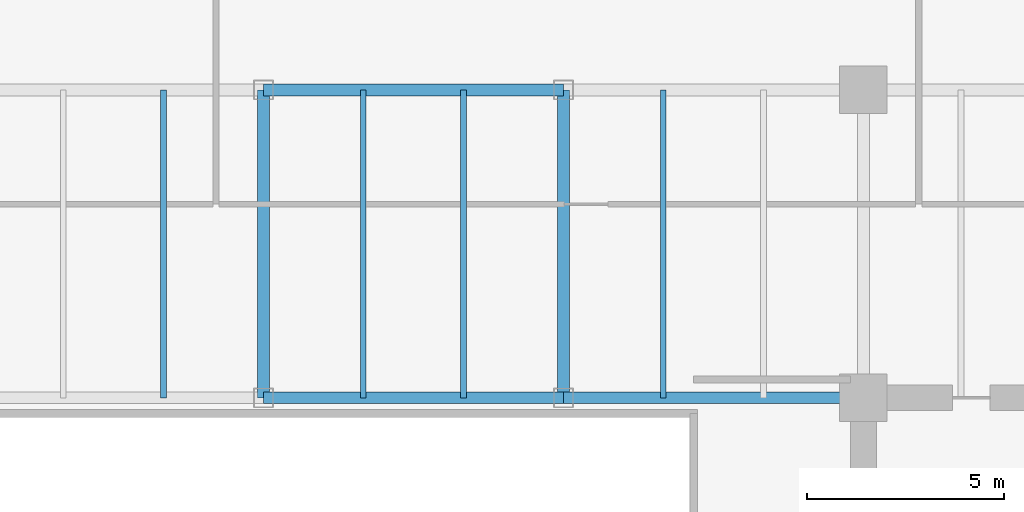
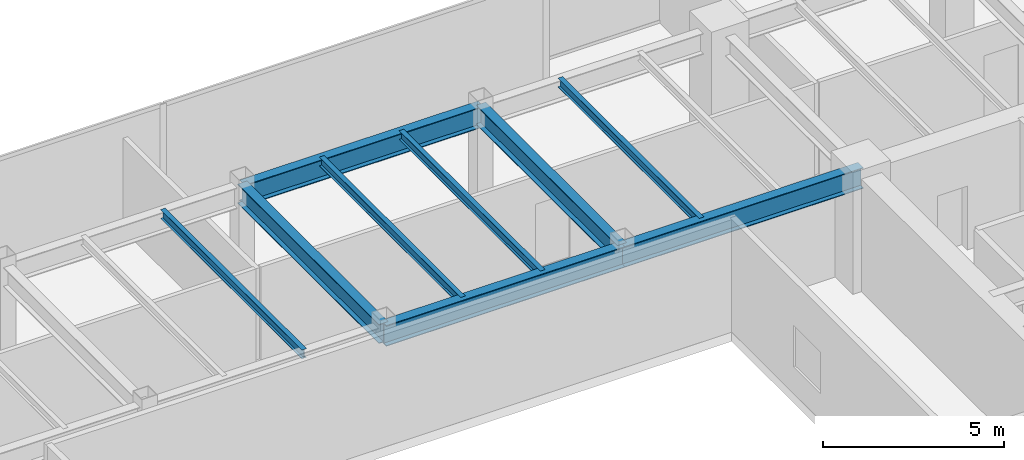
# One storey, part 17 of 30: 9 beams.
"""IFC4 building model written with IfcOpenShell, lengths in metres."""

from ifc_helpers import new_model, si_unit, direction, frame, origin, origin_2d, place, context, subcontext, project, spatial, i_section, extrude, source, transform, mapped, material, material_profile, profile_set, type_object, type_shapes, element, save


model = new_model("IFC4")

# Units and contexts
model_context = context("Model", 3, precision=1e-05, world=origin(), true_north=direction((0.0, 1.0)))
body_context = subcontext(model_context, "Body", "Model", "MODEL_VIEW")
ifc_project = project(units=[si_unit("LENGTHUNIT", "METRE"), si_unit("AREAUNIT", "SQUARE_METRE"), si_unit("VOLUMEUNIT", "CUBIC_METRE"), si_unit("PLANEANGLEUNIT", "RADIAN"), si_unit("MASSUNIT", "GRAM", prefix="KILO")], contexts=[model_context])

# Site, building, storey
site_placement = place(None, origin())
site = spatial("IfcSite", under=ifc_project, at=site_placement, CompositionType="ELEMENT")
building_placement = place(site_placement, origin())
building = spatial("IfcBuilding", under=site, at=building_placement, Name="Haelvirn Gate Laboratories", CompositionType="ELEMENT")
storey_placement = place(building_placement, frame((0.0, 0.0, 142.0)))
storey = spatial("IfcBuildingStorey", under=building, at=storey_placement, Name="L34", CompositionType="ELEMENT", Elevation=142.0)

# Beams
ifc_material = material(Name="Steel SM355", Category="steel")
ifc_material_profile_1 = material_profile(ifc_material, i_section(OverallWidth=0.300048828125, OverallDepth=0.64990234375, WebThickness=0.012939453125, FlangeThickness=0.02197265625, at=origin_2d()), Name="H-650x300x13x22")
ifc_profile_set_1 = profile_set([ifc_material_profile_1], Name="Steel SM355")
beam_type_1 = type_object("IfcBeamType", Name="BM-G-650", PredefinedType="BEAM", material=ifc_profile_set_1)
shared_shape_1 = source(origin(), body_context, "Body", "SweptSolid", [
    extrude(i_section(OverallWidth=0.300048828125, OverallDepth=0.64990234375, WebThickness=0.012939453125, FlangeThickness=0.02197265625, at=origin_2d()), origin(), (0.0, 0.0, 1.0), 7.800048828125),
])
type_shapes(beam_type_1, [shared_shape_1])
for number, where, z_axis, x_axis, name in (
    (1, (37.39990234375, 33.800048828125, 3.465087890625), (0.0, 1.0, 0.0), (-1.0, 0.0, 0.0), "L34 Frame Girder X37.4 (33.8-41.6)"),
    (2, (45.0, 33.800048828125, 3.465087890625), (0.0, 1.0, 0.0), (-1.0, 0.0, 0.0), "L34 Frame Girder X45.0 (33.8-41.6)"),
):
    element("IfcBeam", number, at=place(storey_placement, frame(where, z_axis=z_axis, x_axis=x_axis)), inside=storey, type_object=beam_type_1, Name=name, PredefinedType="BEAM", context=body_context, shape_type="MappedRepresentation", body=[
        mapped(shared_shape_1, transform((0.0, 0.0, 0.0), scale=1.0)),
    ])
ifc_material_profile_2 = material_profile(ifc_material, i_section(OverallWidth=0.300048828125, OverallDepth=0.699951171875, WebThickness=0.012939453125, FlangeThickness=0.02392578125, at=origin_2d()), Name="H-700x300x13x24")
ifc_profile_set_2 = profile_set([ifc_material_profile_2], Name="Steel SM355")
beam_type_2 = type_object("IfcBeamType", Name="BM-G-700", PredefinedType="BEAM", material=ifc_profile_set_2)
shared_shape_2 = source(origin(), body_context, "Body", "SweptSolid", [
    extrude(i_section(OverallWidth=0.300048828125, OverallDepth=0.699951171875, WebThickness=0.012939453125, FlangeThickness=0.02392578125, at=origin_2d()), origin(), (0.0, 0.0, 1.0), 7.60009765625),
])
type_shapes(beam_type_2, [shared_shape_2])
for number, where, z_axis, x_axis, name in (
    (3, (37.39990234375, 33.800048828125, 3.43994140625), (1.0, 0.0, 0.0), (0.0, 1.0, 0.0), "L34 Primary Girder Y33.8 (37.4-45.0)"),
    (4, (45.0, 33.800048828125, 3.43994140625), (1.0, 0.0, 0.0), (0.0, 1.0, 0.0), "L34 Primary Girder Y33.8 (45.0-52.6)"),
    (5, (37.39990234375, 41.60009765625, 3.43994140625), (1.0, 0.0, 0.0), (0.0, 1.0, 0.0), "L34 Primary Girder Y41.6 (37.4-45.0)"),
):
    element("IfcBeam", number, at=place(storey_placement, frame(where, z_axis=z_axis, x_axis=x_axis)), inside=storey, type_object=beam_type_2, Name=name, PredefinedType="BEAM", context=body_context, shape_type="MappedRepresentation", body=[
        mapped(shared_shape_2, transform((0.0, 0.0, 0.0), scale=1.0)),
    ])
ifc_material_profile_3 = material_profile(ifc_material, i_section(OverallWidth=0.14990234375, OverallDepth=0.300048828125, WebThickness=0.006591796875, FlangeThickness=0.009033203125, at=origin_2d()), Name="H-300x150x6.5x9")
ifc_profile_set_3 = profile_set([ifc_material_profile_3], Name="Steel SM355")
beam_type_3 = type_object("IfcBeamType", Name="BM-J-300", PredefinedType="JOIST", material=ifc_profile_set_3)
shared_shape_3 = source(origin(), body_context, "Body", "SweptSolid", [
    extrude(i_section(OverallWidth=0.14990234375, OverallDepth=0.300048828125, WebThickness=0.006591796875, FlangeThickness=0.009033203125, at=origin_2d()), origin(), (0.0, 0.0, 1.0), 7.800048828125),
])
type_shapes(beam_type_3, [shared_shape_3])
for number, where, z_axis, x_axis, name in (
    (6, (34.8701171875, 33.800048828125, 3.639892578125), (0.0, 1.0, 0.0), (-1.0, 0.0, 0.0), "L34 Composite Lab Joist North X34.87"),
    (7, (39.929931640625, 33.800048828125, 3.639892578125), (0.0, 1.0, 0.0), (-1.0, 0.0, 0.0), "L34 Composite Lab Joist North X39.93"),
    (8, (42.469970703125, 33.800048828125, 3.639892578125), (0.0, 1.0, 0.0), (-1.0, 0.0, 0.0), "L34 Composite Lab Joist North X42.47"),
    (9, (47.530029296875, 33.800048828125, 3.639892578125), (0.0, 1.0, 0.0), (-1.0, 0.0, 0.0), "L34 Composite Lab Joist North X47.53"),
):
    element("IfcBeam", number, at=place(storey_placement, frame(where, z_axis=z_axis, x_axis=x_axis)), inside=storey, type_object=beam_type_3, Name=name, PredefinedType="JOIST", context=body_context, shape_type="MappedRepresentation", body=[
        mapped(shared_shape_3, transform((0.0, 0.0, 0.0), scale=1.0)),
    ])

save(model, "model.ifc")
